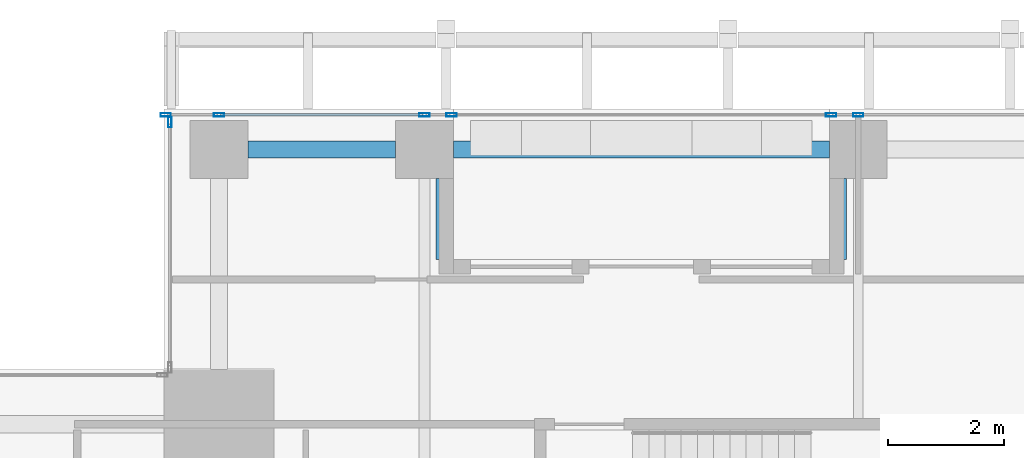
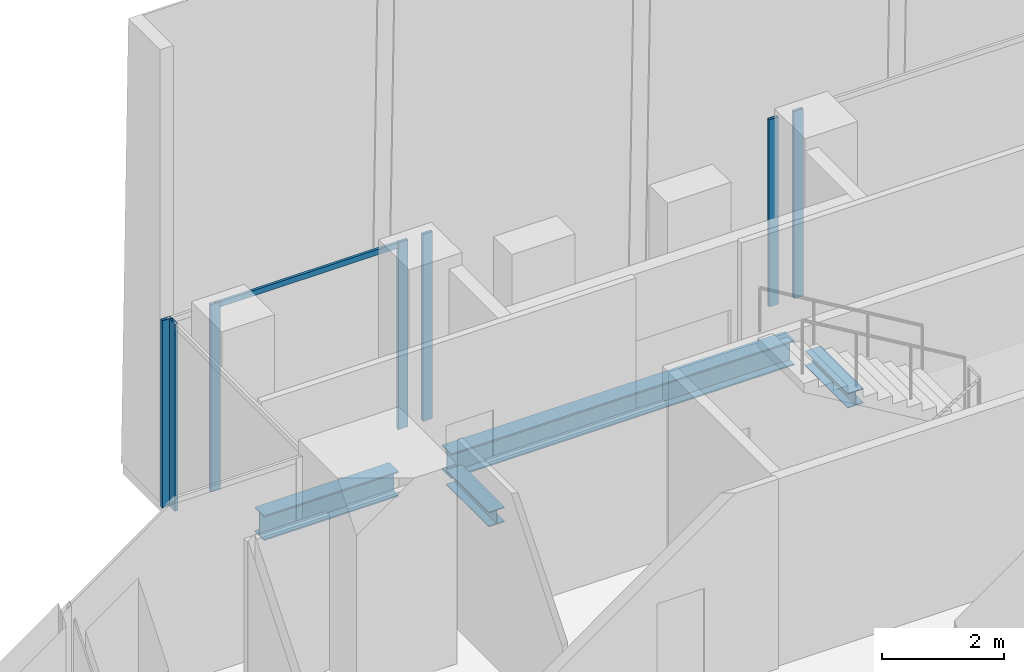
# One storey, part 16 of 35: 8 members, 4 beams, 3 elements without a shape of their own.
"""IFC4 building model written with IfcOpenShell, lengths in metres."""

from ifc_helpers import new_model, si_unit, direction, frame, origin, origin_2d, place, context, subcontext, project, spatial, hollow_rectangle, i_section, extrude, source, transform, mapped, material, material_profile, profile_set, type_object, element, aggregate, save


model = new_model("IFC4")

# Units and contexts
model_context = context("Model", 3, precision=1e-05, world=origin(), true_north=direction((0.0, 1.0)))
body_context = subcontext(model_context, "Body", "Model", "MODEL_VIEW")
ifc_project = project(units=[si_unit("LENGTHUNIT", "METRE"), si_unit("AREAUNIT", "SQUARE_METRE"), si_unit("VOLUMEUNIT", "CUBIC_METRE"), si_unit("PLANEANGLEUNIT", "RADIAN"), si_unit("MASSUNIT", "GRAM", prefix="KILO")], contexts=[model_context])

# Site, building, storey
site_placement = place(None, origin())
site = spatial("IfcSite", under=ifc_project, at=site_placement, CompositionType="ELEMENT")
building_placement = place(site_placement, origin())
building = spatial("IfcBuilding", under=site, at=building_placement, Name="Khomas Fold Tower", CompositionType="ELEMENT")
storey_placement = place(building_placement, frame((0.0, 0.0, 212.699951171875)))
storey = spatial("IfcBuildingStorey", under=building, at=storey_placement, Name="L47", CompositionType="ELEMENT", Elevation=212.699951171875)

# Beams
ifc_material_1 = material(Name="Steel S355", Category="steel")
ifc_material_profile_1 = material_profile(ifc_material_1, i_section(OverallWidth=0.300048828125, OverallDepth=0.5, WebThickness=0.014404296875, FlangeThickness=0.028076171875, at=origin_2d()), Name="HE 500 B")
ifc_profile_set_1 = profile_set([ifc_material_profile_1], Name="Steel S355")
beam_type_1 = type_object("IfcBeamType", Name="HE 500 B spandrel SB3", PredefinedType="SPANDREL", material=ifc_profile_set_1)
shared_shape_1 = source(origin(), body_context, "Body", "SweptSolid", [
    extrude(i_section(OverallWidth=0.300048828125, OverallDepth=0.5, WebThickness=0.014404296875, FlangeThickness=0.028076171875, at=origin_2d()), origin(), (0.0, 0.0, 1.0), 2.550048828125),
])
beam_1_placement = place(storey_placement, frame((8.949951171875, 50.300048828125, -0.5), z_axis=(1.0, 0.0, 0.0), x_axis=(0.0, 1.0, 0.0)))
element("IfcBeam", 1, at=beam_1_placement, inside=storey, type_object=beam_type_1, Name="SB3", PredefinedType="SPANDREL", context=body_context, shape_type="MappedRepresentation", body=[
    mapped(shared_shape_1, transform((0.0, 0.0, 0.0))),
])
shared_shape_2 = source(origin(), body_context, "Body", "SweptSolid", [
    extrude(i_section(OverallWidth=0.300048828125, OverallDepth=0.5, WebThickness=0.014404296875, FlangeThickness=0.028076171875, at=origin_2d()), origin(), (0.0, 0.0, 1.0), 6.5),
])
beam_2_placement = place(storey_placement, frame((12.5, 50.300048828125, -0.5), z_axis=(1.0, 0.0, 0.0), x_axis=(0.0, 1.0, 0.0)))
element("IfcBeam", 2, at=beam_2_placement, inside=storey, type_object=beam_type_1, Name="SB3", PredefinedType="SPANDREL", context=body_context, shape_type="MappedRepresentation", body=[
    mapped(shared_shape_2, transform((0.0, 0.0, 0.0))),
])
ifc_material_2 = material(Name="Steel S355", Category="steel")
ifc_material_profile_2 = material_profile(ifc_material_2, i_section(OverallWidth=0.300048828125, OverallDepth=0.300048828125, WebThickness=0.010986328125, FlangeThickness=0.01904296875, at=origin_2d()), Name="HE 300 B")
ifc_profile_set_2 = profile_set([ifc_material_profile_2], Name="Steel S355")
beam_type_2 = type_object("IfcBeamType", Name="HE 300 B beam BB1", PredefinedType="BEAM", material=ifc_profile_set_2)
shared_shape_3 = source(origin(), body_context, "Body", "SweptSolid", [
    extrude(i_section(OverallWidth=0.300048828125, OverallDepth=0.300048828125, WebThickness=0.010986328125, FlangeThickness=0.01904296875, at=origin_2d()), origin(), (0.0, 0.0, 1.0), 1.400146484375),
])
for number, where, z_axis, x_axis, name in (
    (3, (12.35009765625, 48.39990234375, -0.39990234375), (0.0, 1.0, 0.0), (-1.0, 0.0, 0.0), "BB1"),
    (4, (19.14990234375, 48.39990234375, -0.39990234375), (0.0, 1.0, 0.0), (-1.0, 0.0, 0.0), "BB1"),
):
    element("IfcBeam", number, at=place(storey_placement, frame(where, z_axis=z_axis, x_axis=x_axis)), inside=storey, type_object=beam_type_2, Name=name, PredefinedType="BEAM", context=body_context, shape_type="MappedRepresentation", body=[
        mapped(shared_shape_3, transform((0.0, 0.0, 0.0))),
    ])

# Curtain wall, members
ifc_material_3 = material(Name="Aluminium framed double glazing", Category="aluminium")
curtain_wall_type = type_object("IfcCurtainWallType", Name="SK-Unitised clear-glass wall, office floors CW2", PredefinedType="NOTDEFINED", material=ifc_material_3)
curtain_wall_1_placement = place(storey_placement, origin())
curtain_wall_1 = element("IfcCurtainWall", 5, at=curtain_wall_1_placement, inside=storey, type_object=curtain_wall_type, Name="CW2 run L47 06-1", PredefinedType="NOTDEFINED")
ifc_material_4 = material(Name="Aluminium", Category="aluminium")
ifc_material_profile_3 = material_profile(ifc_material_4, hollow_rectangle(XDim=0.06005859375, YDim=0.179931640625, WallThickness=0.00390625, at=origin_2d()), Name="SK-Unitised clear-glass wall, office floors mullion CW2-M")
ifc_profile_set_3 = profile_set([ifc_material_profile_3], Name="Aluminium")
member_type_1 = type_object("IfcMemberType", Name="SK-Unitised clear-glass wall, office floors mullion CW2-M", PredefinedType="MULLION", material=ifc_profile_set_3)
shared_shape_4 = source(origin(), body_context, "Body", "SweptSolid", [
    extrude(hollow_rectangle(XDim=0.06005859375, YDim=0.179931640625, WallThickness=0.00390625, at=origin_2d()), origin(), (0.0, 0.0, 1.0), 3.75),
])
member_1_placement = place(storey_placement, frame((19.5, 50.89990234375, 0.0), z_axis=(0.0, 0.0, 1.0), x_axis=(0.0, -1.0, 0.0)))
member_1 = element("IfcMember", 6, at=member_1_placement, type_object=member_type_1, Name="CW2 mullion 3", PredefinedType="MULLION", context=body_context, shape_type="MappedRepresentation", body=[
    mapped(shared_shape_4, transform((0.0, 0.0, 0.0))),
])
member_2_placement = place(storey_placement, frame((19.030029296875, 50.89990234375, 0.0), z_axis=(0.0, 0.0, 1.0), x_axis=(0.0, -1.0, 0.0)))
member_2 = element("IfcMember", 7, at=member_2_placement, type_object=member_type_1, Name="CW2 mullion 4", PredefinedType="MULLION", context=body_context, shape_type="MappedRepresentation", body=[
    mapped(shared_shape_4, transform((0.0, 0.0, 0.0))),
])
aggregate(curtain_wall_1, [member_1, member_2])

curtain_wall_2_placement = place(storey_placement, origin())
curtain_wall_2 = element("IfcCurtainWall", 8, at=curtain_wall_2_placement, inside=storey, type_object=curtain_wall_type, Name="CW2 run L47 06-2", PredefinedType="NOTDEFINED")
member_3_placement = place(storey_placement, frame((12.469970703125, 50.89990234375, 0.0), z_axis=(0.0, 0.0, 1.0), x_axis=(0.0, -1.0, 0.0)))
member_3 = element("IfcMember", 9, at=member_3_placement, type_object=member_type_1, Name="CW2 mullion 1", PredefinedType="MULLION", context=body_context, shape_type="MappedRepresentation", body=[
    mapped(shared_shape_4, transform((0.0, 0.0, 0.0))),
])
member_4_placement = place(storey_placement, frame((12.0, 50.89990234375, 0.0), z_axis=(0.0, 0.0, 1.0), x_axis=(0.0, -1.0, 0.0)))
member_4 = element("IfcMember", 10, at=member_4_placement, type_object=member_type_1, Name="CW2 mullion 2", PredefinedType="MULLION", context=body_context, shape_type="MappedRepresentation", body=[
    mapped(shared_shape_4, transform((0.0, 0.0, 0.0))),
])
member_5_placement = place(storey_placement, frame((8.449951171875, 50.89990234375, 0.0), z_axis=(0.0, 0.0, 1.0), x_axis=(0.0, -1.0, 0.0)))
member_5 = element("IfcMember", 11, at=member_5_placement, type_object=member_type_1, Name="CW2 mullion 3", PredefinedType="MULLION", context=body_context, shape_type="MappedRepresentation", body=[
    mapped(shared_shape_4, transform((0.0, 0.0, 0.0))),
])
member_6_placement = place(storey_placement, frame((7.530029296875, 50.89990234375, 0.0), z_axis=(0.0, 0.0, 1.0), x_axis=(0.0, -1.0, 0.0)))
member_6 = element("IfcMember", 12, at=member_6_placement, type_object=member_type_1, Name="CW2 mullion 4", PredefinedType="MULLION", context=body_context, shape_type="MappedRepresentation", body=[
    mapped(shared_shape_4, transform((0.0, 0.0, 0.0))),
])

# Curtain wall, member
curtain_wall_3_placement = place(storey_placement, origin())
curtain_wall_3 = element("IfcCurtainWall", 13, at=curtain_wall_3_placement, inside=storey, type_object=curtain_wall_type, Name="CW2 corner return L47 07", PredefinedType="NOTDEFINED")
member_7_placement = place(storey_placement, frame((7.60009765625, 50.77001953125, 0.0), z_axis=(0.0, 0.0, 1.0), x_axis=(1.0, 0.0, 0.0)))
member_7 = element("IfcMember", 14, at=member_7_placement, type_object=member_type_1, Name="CW2 mullion 1", PredefinedType="MULLION", context=body_context, shape_type="MappedRepresentation", body=[
    mapped(shared_shape_4, transform((0.0, 0.0, 0.0))),
])
aggregate(curtain_wall_3, [member_7])

# Member
ifc_material_5 = material(Name="Aluminium", Category="aluminium")
ifc_material_profile_4 = material_profile(ifc_material_5, hollow_rectangle(XDim=0.050048828125, YDim=0.110107421875, WallThickness=0.00390625, at=origin_2d()), Name="SK-Unitised clear-glass wall, office floors transom CW2-T")
ifc_profile_set_4 = profile_set([ifc_material_profile_4], Name="Aluminium")
member_type_2 = type_object("IfcMemberType", Name="SK-Unitised clear-glass wall, office floors transom CW2-T", PredefinedType="USERDEFINED", material=ifc_profile_set_4)
shared_shape_5 = source(origin(), body_context, "Body", "SweptSolid", [
    extrude(hollow_rectangle(XDim=0.050048828125, YDim=0.110107421875, WallThickness=0.00390625, at=origin_2d()), origin(), (0.0, 0.0, 1.0), 3.489990234375),
])
member_8_placement = place(storey_placement, frame((11.969970703125, 50.89990234375, 3.695068359375), z_axis=(-1.0, 0.0, 0.0), x_axis=(0.0, -1.0, 0.0)))
member_8 = element("IfcMember", 15, at=member_8_placement, type_object=member_type_2, Name="CW2 transom 2", ObjectType="TRANSOM", PredefinedType="USERDEFINED", context=body_context, shape_type="MappedRepresentation", body=[
    mapped(shared_shape_5, transform((0.0, 0.0, 0.0))),
])

aggregate(curtain_wall_2, [member_3, member_4, member_5, member_6, member_8])

save(model, "model.ifc")
